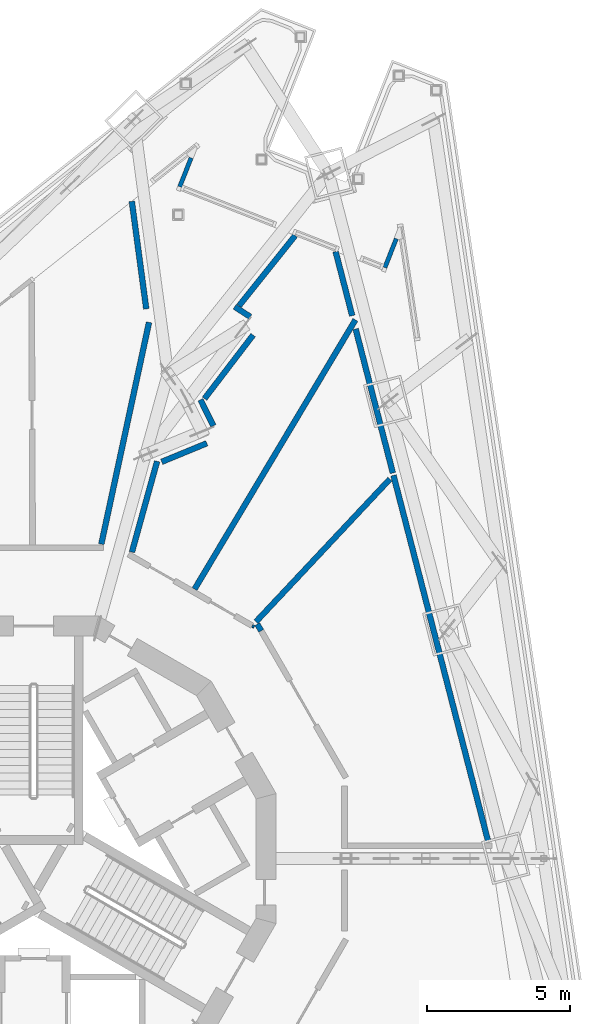
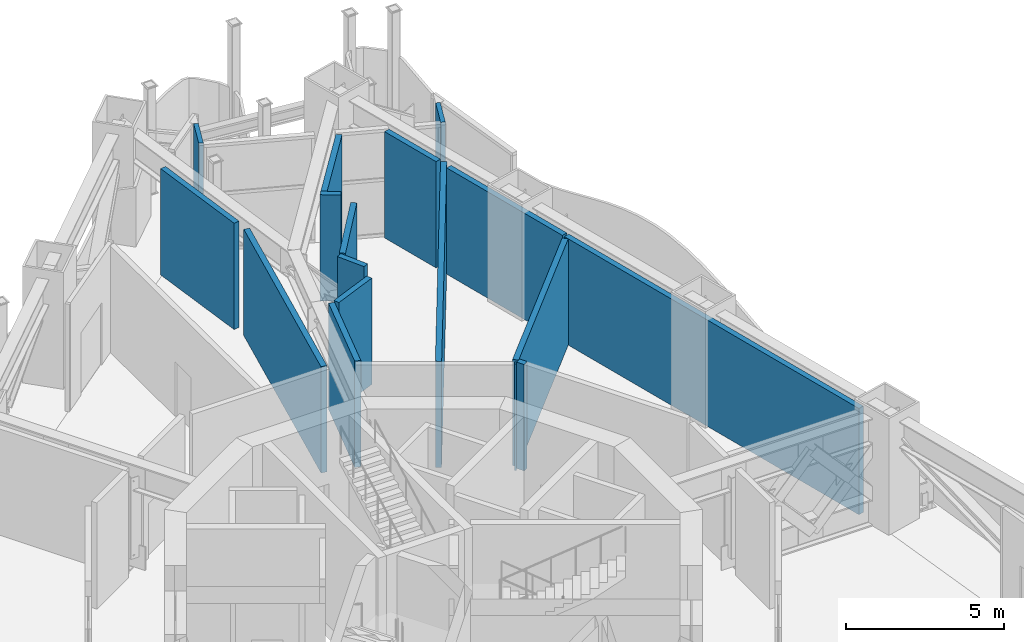
# One storey, part 14 of 27: 17 walls.
"""IFC4 building model written with IfcOpenShell, lengths in metres."""

from ifc_helpers import new_model, si_unit, direction, frame, frame_2d, origin, place, context, subcontext, project, spatial, polyline, rectangle, outline, extrude, material, layer, layer_set, type_object, element, save


model = new_model("IFC4")

# Units and contexts
model_context = context("Model", 3, precision=1e-05, world=origin(), true_north=direction((0.0, 1.0)))
body_context = subcontext(model_context, "Body", "Model", "MODEL_VIEW")
ifc_project = project(units=[si_unit("LENGTHUNIT", "METRE"), si_unit("AREAUNIT", "SQUARE_METRE"), si_unit("VOLUMEUNIT", "CUBIC_METRE"), si_unit("PLANEANGLEUNIT", "RADIAN"), si_unit("MASSUNIT", "GRAM", prefix="KILO")], contexts=[model_context])

# Site, building, storey
site_placement = place(None, origin())
site = spatial("IfcSite", under=ifc_project, at=site_placement, CompositionType="ELEMENT")
building_placement = place(site_placement, origin())
building = spatial("IfcBuilding", under=site, at=building_placement, Name="Trine Commons Tower", CompositionType="ELEMENT")
storey_placement = place(building_placement, frame((0.0, 0.0, 230.39990234375)))
storey = spatial("IfcBuildingStorey", under=building, at=storey_placement, Name="L60", CompositionType="ELEMENT", Elevation=230.39990234375)

# Walls
ifc_material_1 = material(Name="Plasterboard on steel stud", Category="steel")
ifc_layer_1 = layer(ifc_material_1, 0.199951171875)
ifc_layer_set_1 = layer_set([ifc_layer_1], Name="Plasterboard on steel stud")
wall_type_1 = type_object("IfcWallType", Name="Fire wall 200 mm, EI 120", PredefinedType="PARTITIONING", material=ifc_layer_set_1)
wall_1_placement = place(storey_placement, frame((82.372802734375, 73.523193359375, 0.0), z_axis=(0.0, 0.0, 1.0), x_axis=(0.210440979639, 0.977606564058, 0.0)))
element("IfcWall", 1, at=wall_1_placement, inside=storey, type_object=wall_type_1, Name="Partition M60030", PredefinedType="PARTITIONING", context=body_context, shape_type="SweptSolid", body=[
    extrude(rectangle(XDim=7.95263671875, YDim=0.199951171875, at=frame_2d((3.976318359375, 0.0))), origin(), (0.0, 0.0, 1.0), 4.10009765625),
])
wall_2_placement = place(storey_placement, frame((83.4462890625, 73.243408203125, 0.0), z_axis=(0.0, 0.0, 1.0), x_axis=(0.267304616586, 0.963612080638, 0.0)))
element("IfcWall", 2, at=wall_2_placement, inside=storey, type_object=wall_type_1, Name="Partition M60036", PredefinedType="PARTITIONING", context=body_context, shape_type="SweptSolid", body=[
    extrude(rectangle(XDim=3.303466796875, YDim=0.199951171875, at=frame_2d((1.65185546875, 0.0))), origin(), (0.0, 0.0, 1.0), 4.10009765625),
])
wall_3_placement = place(storey_placement, frame((83.44287109375, 85.54052734375, 0.0), z_axis=(0.0, 0.0, 1.0), x_axis=(0.132966150721, -0.991120579325, 0.0)))
element("IfcWall", 3, at=wall_3_placement, inside=storey, type_object=wall_type_1, Name="Partition M60037", PredefinedType="PARTITIONING", context=body_context, shape_type="SweptSolid", body=[
    extrude(rectangle(XDim=3.80615234375, YDim=0.199951171875, at=frame_2d((1.903076171875, 0.0))), origin(), (0.0, 0.0, 1.0), 4.10009765625),
])
wall_4_placement = place(storey_placement, frame((84.49169921875, 76.408203125, 0.0), z_axis=(0.0, 0.0, 1.0), x_axis=(0.924660322309, 0.38079297308, 0.0)))
element("IfcWall", 4, at=wall_4_placement, inside=storey, type_object=wall_type_1, Name="Partition M60038", PredefinedType="PARTITIONING", context=body_context, shape_type="SweptSolid", body=[
    extrude(rectangle(XDim=1.706787109375, YDim=0.199951171875, at=frame_2d((0.853515625, 0.0))), origin(), (0.0, 0.0, 1.0), 4.10009765625),
])
wall_5_placement = place(storey_placement, frame((85.642578125, 71.94580078125, 0.0), z_axis=(0.0, 0.0, 1.0), x_axis=(0.512809551368, 0.858502396051, 0.0)))
element("IfcWall", 5, at=wall_5_placement, inside=storey, type_object=wall_type_1, Name="Partition M60040", PredefinedType="PARTITIONING", context=body_context, shape_type="SweptSolid", body=[
    extrude(rectangle(XDim=10.9931640625, YDim=0.199951171875, at=frame_2d((5.49658203125, 0.0))), origin(), (0.0, 0.0, 1.0), 4.10009765625),
])
wall_6_placement = place(storey_placement, frame((85.848876953125, 78.583984375, 0.0), z_axis=(0.0, 0.0, 1.0), x_axis=(0.445385931504, -0.895338691233, 0.0)))
element("IfcWall", 6, at=wall_6_placement, inside=storey, type_object=wall_type_1, Name="Partition M60041", PredefinedType="PARTITIONING", context=body_context, shape_type="SweptSolid", body=[
    extrude(rectangle(XDim=1.015625, YDim=0.199951171875, at=frame_2d((0.5078125, 0.0))), origin(), (0.0, 0.0, 1.0), 4.10009765625),
])
wall_7_placement = place(storey_placement, frame((85.99072265625, 78.6220703125, 0.0), z_axis=(0.0, 0.0, 1.0), x_axis=(0.607075452653, 0.794644193829, 0.0)))
element("IfcWall", 7, at=wall_7_placement, inside=storey, type_object=wall_type_1, Name="Partition M60042", PredefinedType="PARTITIONING", context=body_context, shape_type="SweptSolid", body=[
    extrude(rectangle(XDim=2.80615234375, YDim=0.199951171875, at=frame_2d((1.403076171875, 0.0))), origin(), (0.0, 0.0, 1.0), 4.10009765625),
])
wall_8_placement = place(storey_placement, frame((87.047119140625, 81.844970703125, 0.0), z_axis=(0.0, 0.0, 1.0), x_axis=(0.841735672335, -0.539889857211, 0.0)))
element("IfcWall", 8, at=wall_8_placement, inside=storey, type_object=wall_type_1, Name="Partition M60043", PredefinedType="PARTITIONING", context=body_context, shape_type="SweptSolid", body=[
    extrude(rectangle(XDim=0.654296875, YDim=0.199951171875, at=frame_2d((0.3271484375, 0.0))), origin(), (0.0, 0.0, 1.0), 4.10009765625),
])
wall_9_placement = place(storey_placement, frame((87.20068359375, 81.877685546875, 0.0), z_axis=(0.0, 0.0, 1.0), x_axis=(0.624496575898, 0.781027545412, 0.0)))
element("IfcWall", 9, at=wall_9_placement, inside=storey, type_object=wall_type_1, Name="Partition M60044", PredefinedType="PARTITIONING", context=body_context, shape_type="SweptSolid", body=[
    extrude(rectangle(XDim=3.150634765625, YDim=0.199951171875, at=frame_2d((1.5751953125, 0.0))), origin(), (0.0, 0.0, 1.0), 4.10009765625),
])
wall_10_placement = place(storey_placement, frame((87.7939453125, 70.800537109375, 0.0), z_axis=(0.0, 0.0, 1.0), x_axis=(0.684489925438, 0.729022319257, 0.0)))
element("IfcWall", 10, at=wall_10_placement, inside=storey, type_object=wall_type_1, Name="Partition M60047", PredefinedType="PARTITIONING", context=body_context, shape_type="SweptSolid", body=[
    extrude(rectangle(XDim=6.86376953125, YDim=0.199951171875, at=frame_2d((3.431884765625, 0.0))), origin(), (0.0, 0.0, 1.0), 4.10009765625),
])
wall_11_placement = place(storey_placement, frame((87.842529296875, 70.716552734375, 0.0), z_axis=(0.0, 0.0, 1.0), x_axis=(0.500322817589, -0.865838944724, 0.0)))
element("IfcWall", 11, at=wall_11_placement, inside=storey, type_object=wall_type_1, Name="Partition M60048", PredefinedType="PARTITIONING", context=body_context, shape_type="SweptSolid", body=[
    extrude(rectangle(XDim=0.269775390625, YDim=0.199951171875, at=frame_2d((0.134765625, 0.0))), origin(), (0.0, 0.0, 1.0), 4.10009765625),
])
wall_12_placement = place(storey_placement, frame((90.5869140625, 83.779541015625, 0.0), z_axis=(0.0, 0.0, 1.0), x_axis=(0.250418499633, -0.968137683928, 0.0)))
element("IfcWall", 12, at=wall_12_placement, inside=storey, type_object=wall_type_1, Name="Partition M60053", PredefinedType="PARTITIONING", context=body_context, shape_type="SweptSolid", body=[
    extrude(rectangle(XDim=2.322265625, YDim=0.199951171875, at=frame_2d((1.1611328125, 0.0))), origin(), (0.0, 0.0, 1.0), 4.10009765625),
])
wall_13_placement = place(storey_placement, frame((91.288330078125, 81.0673828125, 0.0), z_axis=(0.0, 0.0, 1.0), x_axis=(0.250387358269, -0.968145738419, 0.0)))
element("IfcWall", 13, at=wall_13_placement, inside=storey, type_object=wall_type_1, Name="Partition M60058", PredefinedType="PARTITIONING", context=body_context, shape_type="SweptSolid", body=[
    extrude(rectangle(XDim=5.218505859375, YDim=0.199951171875, at=frame_2d((2.609375, 0.0))), origin(), (0.0, 0.0, 1.0), 4.10009765625),
])
wall_14_placement = place(storey_placement, frame((92.615966796875, 75.933349609375, 0.0), z_axis=(0.0, 0.0, 1.0), x_axis=(0.250382227842, -0.968147065265, 0.0)))
element("IfcWall", 14, at=wall_14_placement, inside=storey, type_object=wall_type_1, Name="Partition M60059", PredefinedType="PARTITIONING", context=body_context, shape_type="SweptSolid", body=[
    extrude(rectangle(XDim=13.281494140625, YDim=0.199951171875, at=frame_2d((6.640625, 0.0))), origin(), (0.0, 0.0, 1.0), 4.10009765625),
])
ifc_material_2 = material(Name="Aluminium-framed insulated wall panel", Category="aluminium")
ifc_layer_2 = layer(ifc_material_2, 0.14990234375)
ifc_layer_set_2 = layer_set([ifc_layer_2], Name="Aluminium-framed insulated wall panel")
wall_type_2 = type_object("IfcWallType", Name="Glazed frame wall 150, EI 60", PredefinedType="SOLIDWALL", material=ifc_layer_set_2)
wall_15_placement = place(storey_placement, frame((85.575927734375, 87.201171875, 0.0), z_axis=(0.0, 0.0, 1.0), x_axis=(-0.366472142006, -0.930429024232, 0.0)))
element("IfcWall", 15, at=wall_15_placement, inside=storey, type_object=wall_type_2, Name="Glazed frame wall L60 R2", PredefinedType="SOLIDWALL", context=body_context, shape_type="SweptSolid", body=[
    extrude(outline(polyline([(0.1494140625, 0.074951171875), (0.1494140625, -0.074951171875), (1.235107421875, -0.074951171875), (1.235107421875, 0.074951171875), (0.1494140625, 0.074951171875)])), origin(), (0.0, 0.0, 1.0), 4.150146484375),
])
wall_16_placement = place(storey_placement, frame((92.275146484375, 83.11669921875, 0.0), z_axis=(0.0, 0.0, 1.0), x_axis=(0.366534042844, 0.9304046407, 0.0)))
element("IfcWall", 16, at=wall_16_placement, inside=storey, type_object=wall_type_2, Name="Glazed frame wall L60 R4", PredefinedType="SOLIDWALL", context=body_context, shape_type="SweptSolid", body=[
    extrude(outline(polyline([(0.110107421875, 0.074951171875), (0.110107421875, -0.074951171875), (1.19580078125, -0.074951171875), (1.19580078125, 0.074951171875), (0.110107421875, 0.074951171875)])), origin(), (0.0, 0.0, 1.0), 4.150146484375),
])
ifc_layer_3 = layer(ifc_material_1, 0.10009765625)
ifc_layer_set_3 = layer_set([ifc_layer_3], Name="Plasterboard on steel stud")
wall_type_3 = type_object("IfcWallType", Name="Partition wall 100 mm stud, not rated", PredefinedType="PARTITIONING", material=ifc_layer_set_3)
wall_17_placement = place(storey_placement, frame((87.665283203125, 70.660888671875, 0.0), z_axis=(0.0, 0.0, 1.0), x_axis=(0.865734831114, -0.500502949238, 0.0)))
element("IfcWall", 17, at=wall_17_placement, inside=storey, type_object=wall_type_3, Name="Partition M60046", PredefinedType="PARTITIONING", context=body_context, shape_type="SweptSolid", body=[
    extrude(rectangle(XDim=0.072265625, YDim=0.10009765625, at=frame_2d((0.0361328125, 0.0))), origin(), (0.0, 0.0, 1.0), 4.10009765625),
])

save(model, "model.ifc")
